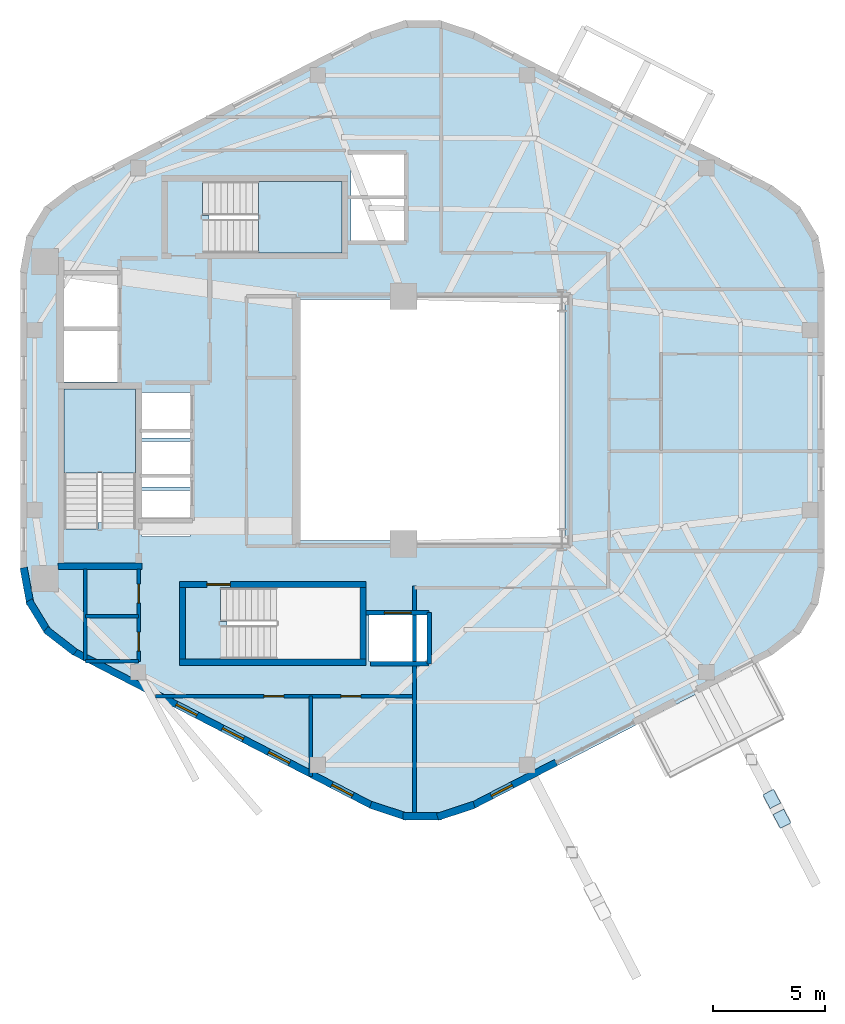
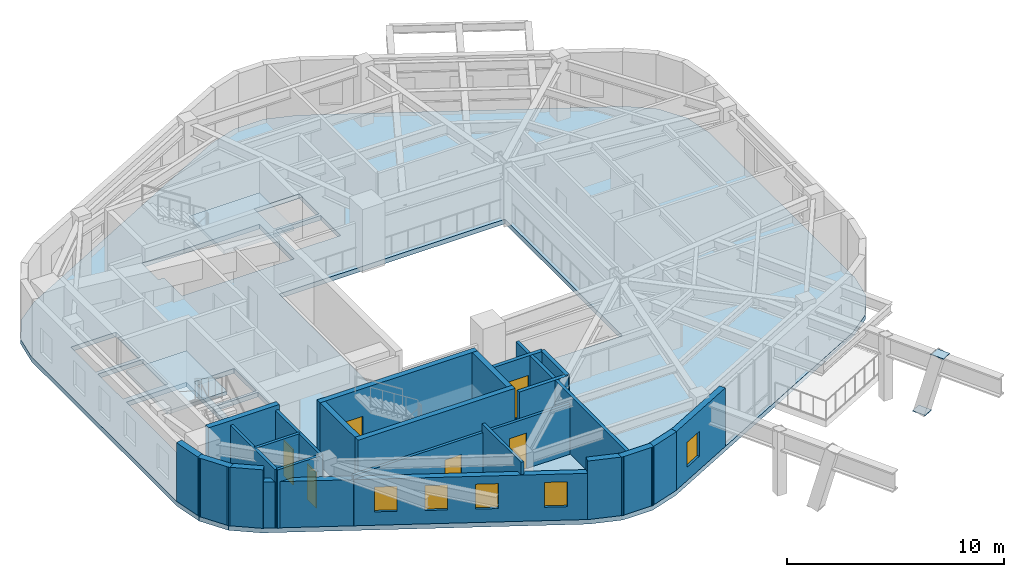
# One storey, part 6 of 10: 23 walls, 6 doors, 5 windows, 3 slabs, 2 plates, 11 openings, 2 elements without a shape of their own.
"""IFC4 building model written with IfcOpenShell, lengths in metres."""

import ifcopenshell
import ifcopenshell.guid

model = None  # the IFC model being written
_history = None  # IfcOwnerHistory: only IFC2X3 demands one
_inside = {}  # id of a spatial element -> (the spatial element, [elements in it])
_under = {}  # id of a project, library or spatial element -> (it, [spatial elements below it])
_declared = {}  # id of a project -> (the project, [libraries it declares])
_typed = {}  # id of a type object -> (the type object, [elements of that type])
_made_of = {}  # id of a material, layer set ... -> (it, [elements and type objects made of it])


def new_model(schema):
    """Start an empty IFC model of exactly this schema.

    Asked for "IFC4X3", IfcOpenShell would pick the latest addendum, in which some entities
    have other attributes; the version numbers below select the first issue.
    IFC2X3 requires an IfcOwnerHistory on every rooted entity: one is made here for all.
    """
    global model, _history
    if schema == "IFC4X3":
        model = ifcopenshell.file(schema_version=(4, 3, 0, 0))
    else:
        model = ifcopenshell.file(schema=schema)
    _inside.clear()
    _under.clear()
    _declared.clear()
    _typed.clear()
    _made_of.clear()
    _history = None
    if model.schema == "IFC2X3":
        org = make("IfcOrganization", Name="unknown")
        user = make(
            "IfcPersonAndOrganization",
            ThePerson=make("IfcPerson", FamilyName="unknown"),
            TheOrganization=org,
        )
        app = make(
            "IfcApplication",
            ApplicationDeveloper=org,
            Version="unknown",
            ApplicationFullName="unknown",
            ApplicationIdentifier="unknown",
        )
        _history = make(
            "IfcOwnerHistory",
            OwningUser=user,
            OwningApplication=app,
            ChangeAction="ADDED",
            CreationDate=0,
        )
    return model


def make(cls, **values):
    """One entity of the class cls with the attributes given. An attribute that is None is left unset."""
    return model.create_entity(
        cls, **{name: value for name, value in values.items() if value is not None}
    )


def rooted(cls, **values):
    """An entity with a GlobalId (a new one), such as an element, a storey or a relation."""
    return make(cls, GlobalId=ifcopenshell.guid.new(), OwnerHistory=_history, **values)


def si_unit(unit_type, name, prefix=None):
    """IfcSIUnit, for example si_unit("LENGTHUNIT", "METRE", prefix="MILLI")."""
    return make("IfcSIUnit", UnitType=unit_type, Prefix=prefix, Name=name)


def assignment(units):
    """IfcUnitAssignment: the units of a project."""
    return None if units is None else make("IfcUnitAssignment", Units=units)


def point(xyz):
    """IfcCartesianPoint."""
    return None if xyz is None else make("IfcCartesianPoint", Coordinates=xyz)


def direction(xyz):
    """IfcDirection."""
    return None if xyz is None else make("IfcDirection", DirectionRatios=xyz)


def frame(location, z_axis=None, x_axis=None):
    """IfcAxis2Placement3D, a coordinate frame: its origin and axes. An axis left out is left unset."""
    return make(
        "IfcAxis2Placement3D",
        Location=point(location),
        Axis=direction(z_axis),
        RefDirection=direction(x_axis),
    )


def frame_2d(location, x_axis=None):
    """IfcAxis2Placement2D, a coordinate frame in the plane: its origin and x axis."""
    return make(
        "IfcAxis2Placement2D", Location=point(location), RefDirection=direction(x_axis)
    )


def origin():
    """The frame at (0, 0, 0) with its axes left unset."""
    return frame((0.0, 0.0, 0.0))


def origin_2d():
    """The frame at (0, 0) in the plane with its x axis left unset."""
    return frame_2d((0.0, 0.0))


def place(relative_to, where):
    """IfcLocalPlacement: puts the frame where relative to a parent placement (None: the world)."""
    return make(
        "IfcLocalPlacement", PlacementRelTo=relative_to, RelativePlacement=where
    )


def context(
    kind, dimensions, precision=None, world=None, true_north=None, identifier=None
):
    """IfcGeometricRepresentationContext, for example the 3D "Model" context."""
    return make(
        "IfcGeometricRepresentationContext",
        ContextIdentifier=identifier,
        ContextType=kind,
        CoordinateSpaceDimension=dimensions,
        Precision=precision,
        WorldCoordinateSystem=world,
        TrueNorth=true_north,
    )


def subcontext(parent, identifier, kind, view, scale=None):
    """IfcGeometricRepresentationSubContext, for example "Body" below "Model"."""
    return make(
        "IfcGeometricRepresentationSubContext",
        ContextIdentifier=identifier,
        ContextType=kind,
        ParentContext=parent,
        TargetScale=scale,
        TargetView=view,
    )


def project(units=None, contexts=None):
    """IfcProject with its units and contexts."""
    return rooted(
        "IfcProject",
        Name="project",
        RepresentationContexts=contexts,
        UnitsInContext=assignment(units),
    )


def spatial(cls, under=None, at=None, **own):
    """A site, building, storey or space (cls), placed at a placement, below another one or the project."""
    s = rooted(cls, ObjectPlacement=at, **own)
    if under is not None:
        _under.setdefault(under.id(), (under, []))[1].append(s)
    return s


def polyline(points):
    """IfcPolyline through the points."""
    return make("IfcPolyline", Points=[point(p) for p in points])


def profile(cls, at=None, kind="AREA", **sizes):
    """A parametric profile (cls). Its sizes go by their IFC names, for example OverallWidth=200.0."""
    return make(cls, ProfileType=kind, Position=at, **sizes)


def rectangle(**sizes):
    """IfcRectangleProfileDef."""
    return profile("IfcRectangleProfileDef", **sizes)


def outline(outer, holes=None, kind="AREA"):
    """IfcArbitraryClosedProfileDef: a profile drawn as a closed curve; with holes, ...WithVoids."""
    if holes is None:
        return make("IfcArbitraryClosedProfileDef", ProfileType=kind, OuterCurve=outer)
    return make(
        "IfcArbitraryProfileDefWithVoids",
        ProfileType=kind,
        OuterCurve=outer,
        InnerCurves=holes,
    )


def extrude(swept, where, along, depth):
    """IfcExtrudedAreaSolid: the profile swept, set in the frame where, extruded along a direction by depth."""
    return make(
        "IfcExtrudedAreaSolid",
        SweptArea=swept,
        Position=where,
        ExtrudedDirection=direction(along),
        Depth=depth,
    )


def shape(context_of_items, identifier, shape_type, items):
    """IfcShapeRepresentation: the items that make up one representation, for example the "Body"."""
    return make(
        "IfcShapeRepresentation",
        ContextOfItems=context_of_items,
        RepresentationIdentifier=identifier,
        RepresentationType=shape_type,
        Items=items,
    )


def material(Name=None, Category=None):
    """IfcMaterial."""
    return make("IfcMaterial", Name=Name, Category=Category)


def layer(
    of_material, thickness, ventilated=None, Name=None, Category=None, Priority=None
):
    """IfcMaterialLayer: one layer of a wall or slab, of a material (None: an air gap)."""
    return make(
        "IfcMaterialLayer",
        Material=of_material,
        LayerThickness=thickness,
        IsVentilated=ventilated,
        Name=Name,
        Category=Category,
        Priority=Priority,
    )


def layer_set(layers, Name=None):
    """IfcMaterialLayerSet."""
    return make("IfcMaterialLayerSet", MaterialLayers=layers, LayerSetName=Name)


def made_of(thing, what):
    """Note that an element or type object is made of a material, layer set ...; save() writes the relation."""
    if what is not None:
        _made_of.setdefault(what.id(), (what, []))[1].append(thing)
    return thing


def type_object(cls, material=None, **own):
    """A type object (cls), such as IfcWallType, which elements share."""
    return made_of(rooted(cls, **own), material)


def element(
    cls,
    number,
    at=None,
    inside=None,
    cuts=None,
    type_object=None,
    material=None,
    context=None,
    identifier="Body",
    shape_type=None,
    held_by="IfcProductDefinitionShape",
    body=None,
    shapes=None,
    **own,
):
    """One element of the class cls, such as IfcWall. Its Tag is "e" and its number.

    at: its placement. inside: the storey or other place that contains it. cuts: it is an
    opening in that element (IfcRelVoidsElement). A single representation is given by context,
    identifier, shape_type and body (its items); several are given by shapes. held_by: the class
    of the entity that holds the representations. save() writes the other relations.
    """
    e = rooted(cls, Tag="e%d" % number, ObjectPlacement=at, **own)
    if body is not None:
        shapes = [shape(context, identifier, shape_type, body)]
    if shapes is not None:
        e.Representation = make(held_by, Representations=shapes)
    if inside is not None:
        _inside.setdefault(inside.id(), (inside, []))[1].append(e)
    if cuts is not None:
        rooted(
            "IfcRelVoidsElement", RelatingBuildingElement=cuts, RelatedOpeningElement=e
        )
    if type_object is not None:
        _typed.setdefault(type_object.id(), (type_object, []))[1].append(e)
    return made_of(e, material)


def fill(opening, filler):
    """IfcRelFillsElement: the door or window that sits in an opening."""
    return rooted(
        "IfcRelFillsElement",
        RelatingOpeningElement=opening,
        RelatedBuildingElement=filler,
    )


def aggregate(whole, parts):
    """IfcRelAggregates: a whole, such as a stair, and the parts it consists of."""
    return rooted("IfcRelAggregates", RelatingObject=whole, RelatedObjects=parts)


def save(model, path):
    """Write the relations noted so far, then the file.

    IfcRelAggregates (storeys below a building ...), IfcRelContainedInSpatialStructure (elements
    in a storey), IfcRelDefinesByType, IfcRelAssociatesMaterial and IfcRelDeclares: one each for
    every whole, place, type object, material and project.
    """
    for whole, parts in _under.values():
        aggregate(whole, parts)
    for where, things in _inside.values():
        rooted(
            "IfcRelContainedInSpatialStructure",
            RelatedElements=things,
            RelatingStructure=where,
        )
    for kind, things in _typed.values():
        rooted("IfcRelDefinesByType", RelatedObjects=things, RelatingType=kind)
    for what, things in _made_of.values():
        rooted("IfcRelAssociatesMaterial", RelatedObjects=things, RelatingMaterial=what)
    for by, libraries in _declared.values():
        rooted("IfcRelDeclares", RelatingContext=by, RelatedDefinitions=libraries)
    model.write(path)


model = new_model("IFC4")

# Units and contexts
model_context = context("Model", 3, precision=1e-05, world=origin(), true_north=direction((0.0, 1.0)))
body_context = subcontext(model_context, "Body", "Model", "MODEL_VIEW")
ifc_project = project(units=[si_unit("LENGTHUNIT", "METRE"), si_unit("AREAUNIT", "SQUARE_METRE"), si_unit("VOLUMEUNIT", "CUBIC_METRE"), si_unit("PLANEANGLEUNIT", "RADIAN"), si_unit("MASSUNIT", "GRAM", prefix="KILO"), si_unit("THERMODYNAMICTEMPERATUREUNIT", "KELVIN"), si_unit("POWERUNIT", "WATT")], contexts=[model_context])

# Site, building, storey
site_placement = place(None, origin())
site = spatial("IfcSite", under=ifc_project, at=site_placement, CompositionType="ELEMENT")
building_placement = place(site_placement, origin())
building = spatial("IfcBuilding", under=site, at=building_placement, Name="Skarre Station Tower", CompositionType="ELEMENT")
storey_placement = place(building_placement, frame((0.0, 0.0, 224.14990234375)))
storey = spatial("IfcBuildingStorey", under=building, at=storey_placement, Name="L61", CompositionType="ELEMENT", Elevation=224.14990234375)

# Plates
ifc_material_1 = material(Name="Steel ASTM A572 Grade 50", Category="steel")
ifc_layer_1 = layer(ifc_material_1, 0.031982421875, Name="Steel ASTM A572 Grade 50")
ifc_layer_set_1 = layer_set([ifc_layer_1], Name="Steel ASTM A572 Grade 50")
plate_type = type_object("IfcPlateType", Name="Exoskeleton Strut Cap Plate 700x540x32", PredefinedType="USERDEFINED", material=ifc_layer_set_1)
for number, where, z_axis, x_axis, name in (
    (1, (48.85400390625, 7.032958984375, -0.44580078125), (0.0, 0.0, 1.0), (0.458711590553, -0.88858521071, 0.0), "L61 SB-5 Exoskeleton Tier-2 Base Gusset S2"),
    (2, (49.31201171875, 6.14404296875, 3.10400390625), (0.0, 0.0, 1.0), (0.458711590553, -0.88858521071, 0.0), "L61 SB-5 Exoskeleton Tier-2 Head Gusset S2"),
):
    element("IfcPlate", number, at=place(storey_placement, frame(where, z_axis=z_axis, x_axis=x_axis)), inside=storey, type_object=plate_type, Name=name, ObjectType="STIFFENER_PLATE", PredefinedType="USERDEFINED", context=body_context, shape_type="SweptSolid", body=[
        extrude(rectangle(XDim=0.699951171875, YDim=0.5400390625, at=origin_2d()), origin(), (0.0, 0.0, 1.0), 0.031982421875),
    ])

# Stair, slab
ifc_material_2 = material(Name="Concrete C40/50", Category="concrete")
stair_type_1 = type_object("IfcStairType", Name="Reinforced Concrete Exit Stair ST-1", PredefinedType="HALF_TURN_STAIR", material=ifc_material_2)
stair_1_placement = place(storey_placement, origin())
stair_1 = element("IfcStair", 3, at=stair_1_placement, inside=storey, type_object=stair_type_1, Name="L61 Core Exit Stair ST-1", PredefinedType="HALF_TURN_STAIR")
ifc_layer_2 = layer(ifc_material_2, 0.219970703125, Name="Concrete C40/50")
ifc_layer_set_2 = layer_set([ifc_layer_2], Name="Concrete C40/50")
slab_type_1 = type_object("IfcSlabType", Name="Reinforced Concrete Stair & Ramp Landing 220", PredefinedType="LANDING", material=ifc_layer_set_2)
slab_1_placement = place(storey_placement, frame((0.0, 0.0, 1.5751953125)))
slab_1 = element("IfcSlab", 4, at=slab_1_placement, type_object=slab_type_1, Name="ST-1 landing 1", PredefinedType="LANDING", context=body_context, shape_type="SweptSolid", body=[
    extrude(outline(polyline([(20.35009765625, 21.639892578125), (20.35009765625, 25.39990234375), (17.14990234375, 25.39990234375), (17.14990234375, 21.639892578125), (20.35009765625, 21.639892578125)])), origin(), (0.0, 0.0, 1.0), 0.199951171875),
])
aggregate(stair_1, [slab_1])

stair_type_2 = type_object("IfcStairType", Name="Reinforced Concrete Exit Stair ST-3", PredefinedType="HALF_TURN_STAIR", material=ifc_material_2)
stair_2_placement = place(storey_placement, origin())
stair_2 = element("IfcStair", 5, at=stair_2_placement, inside=storey, type_object=stair_type_2, Name="L61 Core Exit Stair ST-3", PredefinedType="HALF_TURN_STAIR")
slab_2_placement = place(storey_placement, frame((0.0, 0.0, 1.5751953125)))
slab_2 = element("IfcSlab", 6, at=slab_2_placement, type_object=slab_type_1, Name="ST-3 landing 1", PredefinedType="LANDING", context=body_context, shape_type="SweptSolid", body=[
    extrude(outline(polyline([(25.8701171875, 31.5), (29.60009765625, 31.5), (29.60009765625, 34.699951171875), (25.8701171875, 34.699951171875), (25.8701171875, 31.5)])), origin(), (0.0, 0.0, 1.0), 0.199951171875),
])
aggregate(stair_2, [slab_2])

# Slab
ifc_material_3 = material(Name="Concrete C50/60", Category="concrete")
ifc_layer_3 = layer(ifc_material_3, 0.260009765625, Name="Concrete C50/60")
ifc_layer_set_3 = layer_set([ifc_layer_3], Name="Concrete C50/60")
slab_type_2 = type_object("IfcSlabType", Name="Tower Typical Composite Floor Slab 260", PredefinedType="FLOOR", material=ifc_layer_set_3)
slab_3_placement = place(storey_placement, frame((0.0, 0.0, -0.260009765625)))
element("IfcSlab", 7, at=slab_3_placement, inside=storey, type_object=slab_type_2, Name="L61 Zone 4 Structural Floor Slab", PredefinedType="FLOOR", context=body_context, shape_type="SweptSolid", body=[
    extrude(outline(polyline([(51.212890625, 30.701904296875), (50.93310546875, 32.222900390625), (50.1279296875, 33.544921875), (48.905029296875, 34.491943359375), (35.508056640625, 41.407958984375), (33.99609375, 41.906005859375), (32.404052734375, 41.906005859375), (30.89208984375, 41.407958984375), (17.4951171875, 34.491943359375), (16.27197265625, 33.544921875), (15.467041015625, 32.222900390625), (15.18701171875, 30.701904296875), (15.18701171875, 17.298095703125), (15.467041015625, 15.777099609375), (16.27197265625, 14.455078125), (17.4951171875, 13.508056640625), (30.89208984375, 6.592041015625), (32.404052734375, 6.093994140625), (33.99609375, 6.093994140625), (35.508056640625, 6.592041015625), (48.905029296875, 13.508056640625), (50.1279296875, 14.455078125), (50.93310546875, 15.777099609375), (51.212890625, 17.298095703125), (51.212890625, 30.701904296875)]), holes=[polyline([(18.669921875, 19.419921875), (18.669921875, 19.123046875), (17.14990234375, 19.123046875), (17.14990234375, 25.39990234375), (20.35009765625, 25.39990234375), (20.35009765625, 19.419921875), (18.669921875, 19.419921875)]), polyline([(24.449951171875, 14.97998046875), (24.153076171875, 14.97998046875), (24.153076171875, 16.5), (30.39990234375, 16.5), (30.39990234375, 13.300048828125), (24.449951171875, 13.300048828125), (24.449951171875, 14.97998046875)]), polyline([(23.64990234375, 33.179931640625), (23.35302734375, 33.179931640625), (23.35302734375, 34.699951171875), (29.60009765625, 34.699951171875), (29.60009765625, 31.5), (23.64990234375, 31.5), (23.64990234375, 33.179931640625)]), polyline([(17.14990234375, 28.0), (19.550048828125, 28.0), (19.550048828125, 25.699951171875), (17.14990234375, 25.699951171875), (17.14990234375, 28.0)]), polyline([(17.14990234375, 30.5), (19.550048828125, 30.5), (19.550048828125, 28.199951171875), (17.14990234375, 28.199951171875), (17.14990234375, 30.5)]), polyline([(30.800048828125, 15.300048828125), (33.39990234375, 15.300048828125), (33.39990234375, 13.199951171875), (30.800048828125, 13.199951171875), (30.800048828125, 15.300048828125)]), polyline([(20.64990234375, 20.85009765625), (22.800048828125, 20.85009765625), (22.800048828125, 18.800048828125), (20.64990234375, 18.800048828125), (20.64990234375, 20.85009765625)]), polyline([(20.64990234375, 23.050048828125), (22.800048828125, 23.050048828125), (22.800048828125, 21.0), (20.64990234375, 21.0), (20.64990234375, 23.050048828125)]), polyline([(20.64990234375, 25.25), (22.800048828125, 25.25), (22.800048828125, 23.199951171875), (20.64990234375, 23.199951171875), (20.64990234375, 25.25)]), polyline([(30.0, 33.89990234375), (32.39990234375, 33.89990234375), (32.39990234375, 32.050048828125), (30.0, 32.050048828125), (30.0, 33.89990234375)]), polyline([(30.0, 35.89990234375), (32.39990234375, 35.89990234375), (32.39990234375, 34.050048828125), (30.0, 34.050048828125), (30.0, 35.89990234375)]), polyline([(27.60009765625, 29.39990234375), (39.60009765625, 29.39990234375), (39.60009765625, 18.60009765625), (27.60009765625, 18.60009765625), (27.60009765625, 29.39990234375)])]), origin(), (0.0, 0.0, 1.0), 0.260009765625),
])

# Walls
ifc_material_4 = material(Name="Acoustic Steel-Stud Gypsum Partition", Category="steel")
ifc_layer_4 = layer(ifc_material_4, 0.14990234375, Name="Acoustic Steel-Stud Gypsum Partition")
ifc_layer_set_4 = layer_set([ifc_layer_4], Name="Acoustic Steel-Stud Gypsum Partition")
wall_type_1 = type_object("IfcWallType", Name="Fire-Rated Corridor Acoustic Partition 150", PredefinedType="PARTITIONING", material=ifc_layer_set_4)
wall_1_placement = place(storey_placement, frame((18.10009765625, 17.340087890625, 0.0), z_axis=(0.0, 0.0, 1.0), x_axis=(0.0, -1.0, 0.0)))
element("IfcWall", 8, at=wall_1_placement, inside=storey, type_object=wall_type_1, Name="L61 Interior Partition WL-PT-L61-CSVC-W", PredefinedType="PARTITIONING", context=body_context, shape_type="SweptSolid", body=[
    extrude(rectangle(XDim=4.133056640625, YDim=0.14990234375, at=frame_2d((2.06640625, 0.0))), origin(), (0.0, 0.0, 1.0), 3.2900390625),
])
wall_2_placement = place(storey_placement, frame((18.113037109375, 13.199951171875, 0.0), z_axis=(0.0, 0.0, 1.0), x_axis=(1.0, 0.0, 0.0)))
element("IfcWall", 9, at=wall_2_placement, inside=storey, type_object=wall_type_1, Name="L61 Interior Partition WL-PT-L61-CSVC-S", PredefinedType="PARTITIONING", context=body_context, shape_type="SweptSolid", body=[
    extrude(rectangle(XDim=2.376953125, YDim=0.14990234375, at=frame_2d((1.1884765625, 0.0))), origin(), (0.0, 0.0, 1.0), 3.2900390625),
])
wall_3_placement = place(storey_placement, frame((18.10009765625, 15.219970703125, 0.0), z_axis=(0.0, 0.0, 1.0), x_axis=(1.0, 0.0, 0.0)))
element("IfcWall", 10, at=wall_3_placement, inside=storey, type_object=wall_type_1, Name="L61 Interior Partition WL-PT-L61-CSVC-M", PredefinedType="PARTITIONING", context=body_context, shape_type="SweptSolid", body=[
    extrude(rectangle(XDim=2.389892578125, YDim=0.14990234375, at=frame_2d((1.19482421875, 0.0))), origin(), (0.0, 0.0, 1.0), 3.2900390625),
])

# Wall, openings, doors
wall_4_placement = place(storey_placement, frame((20.489990234375, 13.199951171875, 0.0), z_axis=(0.0, 0.0, 1.0), x_axis=(0.0, 1.0, 0.0)))
wall_4 = element("IfcWall", 11, at=wall_4_placement, inside=storey, type_object=wall_type_1, Name="L61 Interior Partition WL-PT-L61-CSVC-E", PredefinedType="PARTITIONING", context=body_context, shape_type="SweptSolid", body=[
    extrude(rectangle(XDim=4.14013671875, YDim=0.14990234375, at=frame_2d((2.070068359375, 0.0))), origin(), (0.0, 0.0, 1.0), 3.2900390625),
])
opening_1_placement = place(wall_4_placement, frame((0.449951171875, 0.0, 0.0)))
opening_1 = element("IfcOpeningElement", 12, at=opening_1_placement, cuts=wall_4, Name="Opening DR-SVC86", PredefinedType="OPENING", context=body_context, shape_type="SweptSolid", body=[
    extrude(rectangle(XDim=0.860107421875, YDim=2.0, at=frame_2d((0.43017578125, 1.0))), frame((0.0, 0.0849609375, 0.0), z_axis=(0.0, -1.0, 0.0), x_axis=(1.0, 0.0, 0.0)), (0.0, 0.0, 1.0), 0.169921875),
])
opening_2_placement = place(wall_4_placement, frame((2.60009765625, 0.0, 0.0)))
opening_2 = element("IfcOpeningElement", 13, at=opening_2_placement, cuts=wall_4, Name="Opening DR-SVC86", PredefinedType="OPENING", context=body_context, shape_type="SweptSolid", body=[
    extrude(rectangle(XDim=0.860107421875, YDim=2.0, at=frame_2d((0.43017578125, 1.0))), frame((0.0, 0.0849609375, 0.0), z_axis=(0.0, -1.0, 0.0), x_axis=(1.0, 0.0, 0.0)), (0.0, 0.0, 1.0), 0.169921875),
])
ifc_material_5 = material(Name="Powder-Coated Hollow-Metal Acoustic Fire Leaf", Category="steel")
door_type_1 = type_object("IfcDoorType", Name="Compact Riser Fire Door FD60 860x2100", OperationType="SINGLE_SWING_LEFT", PredefinedType="DOOR", material=ifc_material_5)
door_1_placement = place(opening_1_placement, origin())
door_1 = element("IfcDoor", 14, at=door_1_placement, inside=storey, type_object=door_type_1, Name="L61 Vending Room Door", OperationType="SINGLE_SWING_LEFT", OverallHeight=2.0, OverallWidth=0.860107421875, PredefinedType="DOOR", context=body_context, shape_type="SweptSolid", body=[
    extrude(rectangle(XDim=0.860107421875, YDim=2.0, at=frame_2d((0.43017578125, 1.0))), frame((0.0, 0.02490234375, 0.0), z_axis=(0.0, -1.0, 0.0), x_axis=(1.0, 0.0, 0.0)), (0.0, 0.0, 1.0), 0.050048828125),
])
fill(opening_1, door_1)
door_2_placement = place(opening_2_placement, origin())
door_2 = element("IfcDoor", 15, at=door_2_placement, inside=storey, type_object=door_type_1, Name="L61 Linen Storage Door", OperationType="SINGLE_SWING_LEFT", OverallHeight=2.0, OverallWidth=0.860107421875, PredefinedType="DOOR", context=body_context, shape_type="SweptSolid", body=[
    extrude(rectangle(XDim=0.860107421875, YDim=2.0, at=frame_2d((0.43017578125, 1.0))), frame((0.0, 0.02490234375, 0.0), z_axis=(0.0, -1.0, 0.0), x_axis=(1.0, 0.0, 0.0)), (0.0, 0.0, 1.0), 0.050048828125),
])
fill(opening_2, door_2)

# Wall
wall_5_placement = place(storey_placement, frame((28.199951171875, 8.049072265625, 0.0), z_axis=(0.0, 0.0, 1.0), x_axis=(0.0, 1.0, 0.0)))
element("IfcWall", 16, at=wall_5_placement, inside=storey, type_object=wall_type_1, Name="L61 Interior Partition WL-PT-L61-SWP-M", PredefinedType="PARTITIONING", context=body_context, shape_type="SweptSolid", body=[
    extrude(rectangle(XDim=3.5908203125, YDim=0.14990234375, at=frame_2d((1.79541015625, 0.0))), origin(), (0.0, 0.0, 1.0), 3.2900390625),
])

# Wall, openings, doors
wall_6_placement = place(storey_placement, frame((21.243896484375, 11.639892578125, 0.0), z_axis=(0.0, 0.0, 1.0), x_axis=(1.0, 0.0, 0.0)))
wall_6 = element("IfcWall", 17, at=wall_6_placement, inside=storey, type_object=wall_type_1, Name="L61 Interior Partition WL-PT-L61-SWP-N", PredefinedType="PARTITIONING", context=body_context, shape_type="SweptSolid", body=[
    extrude(rectangle(XDim=11.606201171875, YDim=0.14990234375, at=frame_2d((5.80322265625, 0.0))), origin(), (0.0, 0.0, 1.0), 2.8330078125),
])
opening_3_placement = place(wall_6_placement, frame((4.85595703125, 0.0, 0.0)))
opening_3 = element("IfcOpeningElement", 18, at=opening_3_placement, cuts=wall_6, Name="Opening DR-SVC90", PredefinedType="OPENING", context=body_context, shape_type="SweptSolid", body=[
    extrude(rectangle(XDim=0.89990234375, YDim=2.0, at=frame_2d((0.449951171875, 1.0))), frame((0.0, 0.0849609375, 0.0), z_axis=(0.0, -1.0, 0.0), x_axis=(1.0, 0.0, 0.0)), (0.0, 0.0, 1.0), 0.169921875),
])
opening_4_placement = place(wall_6_placement, frame((8.305908203125, 0.0, 0.0)))
opening_4 = element("IfcOpeningElement", 19, at=opening_4_placement, cuts=wall_6, Name="Opening DR-SVC90", PredefinedType="OPENING", context=body_context, shape_type="SweptSolid", body=[
    extrude(rectangle(XDim=0.89990234375, YDim=2.0, at=frame_2d((0.449951171875, 1.0))), frame((0.0, 0.0849609375, 0.0), z_axis=(0.0, -1.0, 0.0), x_axis=(1.0, 0.0, 0.0)), (0.0, 0.0, 1.0), 0.169921875),
])
door_type_2 = type_object("IfcDoorType", Name="Service & Riser Fire Door FD60 900x2100", OperationType="SINGLE_SWING_LEFT", PredefinedType="DOOR", material=ifc_material_5)
door_3_placement = place(opening_3_placement, origin())
door_3 = element("IfcDoor", 20, at=door_3_placement, inside=storey, type_object=door_type_2, Name="L61 Floor Public Toilets Door", OperationType="SINGLE_SWING_LEFT", OverallHeight=2.0, OverallWidth=0.89990234375, PredefinedType="DOOR", context=body_context, shape_type="SweptSolid", body=[
    extrude(rectangle(XDim=0.89990234375, YDim=2.0, at=frame_2d((0.449951171875, 1.0))), frame((0.0, 0.02490234375, 0.0), z_axis=(0.0, -1.0, 0.0), x_axis=(1.0, 0.0, 0.0)), (0.0, 0.0, 1.0), 0.050048828125),
])
fill(opening_3, door_3)
door_4_placement = place(opening_4_placement, origin())
door_4 = element("IfcDoor", 21, at=door_4_placement, inside=storey, type_object=door_type_2, Name="L61 South-West Study Door", OperationType="SINGLE_SWING_LEFT", OverallHeight=2.0, OverallWidth=0.89990234375, PredefinedType="DOOR", context=body_context, shape_type="SweptSolid", body=[
    extrude(rectangle(XDim=0.89990234375, YDim=2.0, at=frame_2d((0.449951171875, 1.0))), frame((0.0, 0.02490234375, 0.0), z_axis=(0.0, -1.0, 0.0), x_axis=(1.0, 0.0, 0.0)), (0.0, 0.0, 1.0), 0.050048828125),
])
fill(opening_4, door_4)

# Walls
ifc_material_6 = material(Name="Precast concrete C45/55", Category="concrete")
ifc_layer_5 = layer(ifc_material_6, 0.330078125, Name="Precast concrete C45/55")
ifc_layer_set_5 = layer_set([ifc_layer_5], Name="Precast concrete C45/55")
wall_type_2 = type_object("IfcWallType", Name="Nordic Rounded Corner Precast Wall 330", PredefinedType="STANDARD", material=ifc_layer_set_5)
wall_7_placement = place(storey_placement, frame((17.64697265625, 13.59912109375, 0.0), z_axis=(0.0, 0.0, 1.0), x_axis=(-0.790691856293, 0.61221433207, 0.0)))
element("IfcWall", 22, at=wall_7_placement, inside=storey, type_object=wall_type_2, Name="L61 Rounded Corner Precast Wall F3-1", PredefinedType="STANDARD", context=body_context, shape_type="SweptSolid", body=[
    extrude(rectangle(XDim=1.67578125, YDim=0.330078125, at=frame_2d((0.837890625, 0.0))), origin(), (0.0, 0.0, 1.0), 3.2900390625),
])
wall_8_placement = place(storey_placement, frame((16.447021484375, 14.485107421875, 0.0), z_axis=(0.0, 0.0, 1.0), x_axis=(-0.520325409202, 0.853968072318, 0.0)))
element("IfcWall", 23, at=wall_8_placement, inside=storey, type_object=wall_type_2, Name="L61 Rounded Corner Precast Wall F3-2", PredefinedType="STANDARD", context=body_context, shape_type="SweptSolid", body=[
    extrude(rectangle(XDim=1.677978515625, YDim=0.330078125, at=frame_2d((0.8388671875, 0.0))), origin(), (0.0, 0.0, 1.0), 3.2900390625),
])
wall_9_placement = place(storey_placement, frame((15.64111328125, 15.742919921875, 0.0), z_axis=(0.0, 0.0, 1.0), x_axis=(-0.180832605401, 0.983513888475, 0.0)))
element("IfcWall", 24, at=wall_9_placement, inside=storey, type_object=wall_type_2, Name="L61 Rounded Corner Precast Wall F3-3", PredefinedType="STANDARD", context=body_context, shape_type="SweptSolid", body=[
    extrude(rectangle(XDim=1.6767578125, YDim=0.330078125, at=frame_2d((0.83837890625, 0.0))), origin(), (0.0, 0.0, 1.0), 3.2900390625),
])
wall_10_placement = place(storey_placement, frame((35.51806640625, 6.76904296875, 0.0), z_axis=(0.0, 0.0, 1.0), x_axis=(-0.949713440491, -0.313120393699, 0.0)))
element("IfcWall", 25, at=wall_10_placement, inside=storey, type_object=wall_type_2, Name="L61 Rounded Corner Precast Wall F4-1", PredefinedType="STANDARD", context=body_context, shape_type="SweptSolid", body=[
    extrude(rectangle(XDim=1.7216796875, YDim=0.330078125, at=frame_2d((0.86083984375, 0.0))), origin(), (0.0, 0.0, 1.0), 3.2900390625),
])
wall_11_placement = place(storey_placement, frame((34.06103515625, 6.259033203125, 0.0), z_axis=(0.0, 0.0, 1.0), x_axis=(-1.0, 0.0, 0.0)))
element("IfcWall", 26, at=wall_11_placement, inside=storey, type_object=wall_type_2, Name="L61 Rounded Corner Precast Wall F4-2", PredefinedType="STANDARD", context=body_context, shape_type="SweptSolid", body=[
    extrude(rectangle(XDim=1.721923828125, YDim=0.330078125, at=frame_2d((0.86083984375, 0.0))), origin(), (0.0, 0.0, 1.0), 3.2900390625),
])
wall_12_placement = place(storey_placement, frame((32.51708984375, 6.22998046875, 0.0), z_axis=(0.0, 0.0, 1.0), x_axis=(-0.949713440491, 0.313120393699, 0.0)))
element("IfcWall", 27, at=wall_12_placement, inside=storey, type_object=wall_type_2, Name="L61 Rounded Corner Precast Wall F4-3", PredefinedType="STANDARD", context=body_context, shape_type="SweptSolid", body=[
    extrude(rectangle(XDim=1.7216796875, YDim=0.330078125, at=frame_2d((0.86083984375, 0.0))), origin(), (0.0, 0.0, 1.0), 3.2900390625),
])

# Wall, openings, windows
ifc_layer_6 = layer(ifc_material_6, 0.31005859375, Name="Precast concrete C45/55")
ifc_layer_set_6 = layer_set([ifc_layer_6], Name="Precast concrete C45/55")
wall_type_3 = type_object("IfcWallType", Name="Nordic Upper-Zone Precast Facet Wall 310", PredefinedType="STANDARD", material=ifc_layer_set_6)
wall_13_placement = place(storey_placement, frame((30.962890625, 6.72998046875, 0.0), z_axis=(0.0, 0.0, 1.0), x_axis=(-0.888581481622, 0.458718814218, 0.0)))
wall_13 = element("IfcWall", 28, at=wall_13_placement, inside=storey, type_object=wall_type_3, Name="L61 Facet 3 Nordic Precast Masonry Wall", PredefinedType="STANDARD", context=body_context, shape_type="SweptSolid", body=[
    extrude(rectangle(XDim=15.076904296875, YDim=0.31005859375, at=frame_2d((7.53857421875, 0.0))), origin(), (0.0, 0.0, 1.0), 2.593994140625),
])
opening_5_placement = place(wall_13_placement, frame((0.998046875, 0.0, 0.75)))
opening_5 = element("IfcOpeningElement", 29, at=opening_5_placement, cuts=wall_13, Name="Opening WN-SLT", PredefinedType="OPENING", context=body_context, shape_type="SweptSolid", body=[
    extrude(rectangle(XDim=1.050048828125, YDim=1.39990234375, at=frame_2d((0.52490234375, 0.699951171875))), frame((0.0, 0.1650390625, 0.0), z_axis=(0.0, -1.0, 0.0), x_axis=(1.0, 0.0, 0.0)), (0.0, 0.0, 1.0), 0.330078125),
])
opening_6_placement = place(wall_13_placement, frame((4.176025390625, 0.0, 0.75)))
opening_6 = element("IfcOpeningElement", 30, at=opening_6_placement, cuts=wall_13, Name="Opening WN-SLT", PredefinedType="OPENING", context=body_context, shape_type="SweptSolid", body=[
    extrude(rectangle(XDim=1.050048828125, YDim=1.39990234375, at=frame_2d((0.52490234375, 0.699951171875))), frame((0.0, 0.1650390625, 0.0), z_axis=(0.0, -1.0, 0.0), x_axis=(1.0, 0.0, 0.0)), (0.0, 0.0, 1.0), 0.330078125),
])
opening_7_placement = place(wall_13_placement, frame((6.509033203125, 0.0, 0.75)))
opening_7 = element("IfcOpeningElement", 31, at=opening_7_placement, cuts=wall_13, Name="Opening WN-SLT", PredefinedType="OPENING", context=body_context, shape_type="SweptSolid", body=[
    extrude(rectangle(XDim=1.050048828125, YDim=1.39990234375, at=frame_2d((0.52490234375, 0.699951171875))), frame((0.0, 0.1650390625, 0.0), z_axis=(0.0, -1.0, 0.0), x_axis=(1.0, 0.0, 0.0)), (0.0, 0.0, 1.0), 0.330078125),
])
opening_8_placement = place(wall_13_placement, frame((8.842041015625, 0.0, 0.75)))
opening_8 = element("IfcOpeningElement", 32, at=opening_8_placement, cuts=wall_13, Name="Opening WN-SLT", PredefinedType="OPENING", context=body_context, shape_type="SweptSolid", body=[
    extrude(rectangle(XDim=1.050048828125, YDim=1.39990234375, at=frame_2d((0.52490234375, 0.699951171875))), frame((0.0, 0.1650390625, 0.0), z_axis=(0.0, -1.0, 0.0), x_axis=(1.0, 0.0, 0.0)), (0.0, 0.0, 1.0), 0.330078125),
])
ifc_material_7 = material(Name="Low-Iron Triple Glazing with Bronze Anodized Frame", Category="glass")
window_type = type_object("IfcWindowType", Name="Nordic Corner Slot Window 1050x1400", PartitioningType="SINGLE_PANEL", PredefinedType="WINDOW", material=ifc_material_7)
window_1_placement = place(opening_5_placement, origin())
window_1 = element("IfcWindow", 33, at=window_1_placement, inside=storey, type_object=window_type, Name="L61 Facade Window WL-FAC-L61-F3-1", OverallHeight=1.39990234375, OverallWidth=1.050048828125, PartitioningType="SINGLE_PANEL", PredefinedType="WINDOW", context=body_context, shape_type="SweptSolid", body=[
    extrude(rectangle(XDim=1.050048828125, YDim=1.39990234375, at=frame_2d((0.52490234375, 0.699951171875))), frame((0.0, 0.030029296875, 0.0), z_axis=(0.0, -1.0, 0.0), x_axis=(1.0, 0.0, 0.0)), (0.0, 0.0, 1.0), 0.06005859375),
])
fill(opening_5, window_1)
window_2_placement = place(opening_6_placement, origin())
window_2 = element("IfcWindow", 34, at=window_2_placement, inside=storey, type_object=window_type, Name="L61 Facade Window WL-FAC-L61-F3-2", OverallHeight=1.39990234375, OverallWidth=1.050048828125, PartitioningType="SINGLE_PANEL", PredefinedType="WINDOW", context=body_context, shape_type="SweptSolid", body=[
    extrude(rectangle(XDim=1.050048828125, YDim=1.39990234375, at=frame_2d((0.52490234375, 0.699951171875))), frame((0.0, 0.030029296875, 0.0), z_axis=(0.0, -1.0, 0.0), x_axis=(1.0, 0.0, 0.0)), (0.0, 0.0, 1.0), 0.06005859375),
])
fill(opening_6, window_2)
window_3_placement = place(opening_7_placement, origin())
window_3 = element("IfcWindow", 35, at=window_3_placement, inside=storey, type_object=window_type, Name="L61 Facade Window WL-FAC-L61-F3-3", OverallHeight=1.39990234375, OverallWidth=1.050048828125, PartitioningType="SINGLE_PANEL", PredefinedType="WINDOW", context=body_context, shape_type="SweptSolid", body=[
    extrude(rectangle(XDim=1.050048828125, YDim=1.39990234375, at=frame_2d((0.52490234375, 0.699951171875))), frame((0.0, 0.030029296875, 0.0), z_axis=(0.0, -1.0, 0.0), x_axis=(1.0, 0.0, 0.0)), (0.0, 0.0, 1.0), 0.06005859375),
])
fill(opening_7, window_3)
window_4_placement = place(opening_8_placement, origin())
window_4 = element("IfcWindow", 36, at=window_4_placement, inside=storey, type_object=window_type, Name="L61 Facade Window WL-FAC-L61-F3-4", OverallHeight=1.39990234375, OverallWidth=1.050048828125, PartitioningType="SINGLE_PANEL", PredefinedType="WINDOW", context=body_context, shape_type="SweptSolid", body=[
    extrude(rectangle(XDim=1.050048828125, YDim=1.39990234375, at=frame_2d((0.52490234375, 0.699951171875))), frame((0.0, 0.030029296875, 0.0), z_axis=(0.0, -1.0, 0.0), x_axis=(1.0, 0.0, 0.0)), (0.0, 0.0, 1.0), 0.06005859375),
])
fill(opening_8, window_4)

# Wall, opening, window
wall_14_placement = place(storey_placement, frame((39.18798828125, 8.666015625, 0.0), z_axis=(0.0, 0.0, 1.0), x_axis=(-0.888616094641, -0.45865175934, 0.0)))
wall_14 = element("IfcWall", 37, at=wall_14_placement, inside=storey, type_object=wall_type_3, Name="L61 Facet 4 Pier B", PredefinedType="STANDARD", context=body_context, shape_type="SweptSolid", body=[
    extrude(rectangle(XDim=4.22119140625, YDim=0.31005859375, at=frame_2d((2.110595703125, 0.0))), origin(), (0.0, 0.0, 1.0), 3.2900390625),
])
opening_9_placement = place(wall_14_placement, frame((2.2099609375, 0.0, 0.75)))
opening_9 = element("IfcOpeningElement", 38, at=opening_9_placement, cuts=wall_14, Name="Opening WN-SLT", PredefinedType="OPENING", context=body_context, shape_type="SweptSolid", body=[
    extrude(rectangle(XDim=1.050048828125, YDim=1.39990234375, at=frame_2d((0.52490234375, 0.699951171875))), frame((0.0, 0.1650390625, 0.0), z_axis=(0.0, -1.0, 0.0), x_axis=(1.0, 0.0, 0.0)), (0.0, 0.0, 1.0), 0.330078125),
])
window_5_placement = place(opening_9_placement, origin())
window_5 = element("IfcWindow", 39, at=window_5_placement, inside=storey, type_object=window_type, Name="L61 Facade Window WL-FAC-L61-F4B-1", OverallHeight=1.39990234375, OverallWidth=1.050048828125, PartitioningType="SINGLE_PANEL", PredefinedType="WINDOW", context=body_context, shape_type="SweptSolid", body=[
    extrude(rectangle(XDim=1.050048828125, YDim=1.39990234375, at=frame_2d((0.52490234375, 0.699951171875))), frame((0.0, 0.030029296875, 0.0), z_axis=(0.0, -1.0, 0.0), x_axis=(1.0, 0.0, 0.0)), (0.0, 0.0, 1.0), 0.06005859375),
])
fill(opening_9, window_5)

# Walls
ifc_layer_7 = layer(ifc_material_3, 0.280029296875, Name="Concrete C50/60")
ifc_layer_set_7 = layer_set([ifc_layer_7], Name="Concrete C50/60")
wall_type_4 = type_object("IfcWallType", Name="RC Core Shear Wall 280", PredefinedType="SHEAR", material=ifc_layer_set_7)
wall_15_placement = place(storey_placement, frame((16.8701171875, 17.4599609375, 0.0), z_axis=(0.0, 0.0, 1.0), x_axis=(1.0, 0.0, 0.0)))
element("IfcWall", 40, at=wall_15_placement, inside=storey, type_object=wall_type_4, Name="L61 Stair ST-1 South Shear Wall", PredefinedType="SHEAR", context=body_context, shape_type="SweptSolid", body=[
    extrude(rectangle(XDim=3.759765625, YDim=0.280029296875, at=frame_2d((1.8798828125, 0.0))), origin(), (0.0, 0.0, 1.0), 3.550048828125),
])
wall_16_placement = place(storey_placement, frame((22.320068359375, 13.159912109375, 0.0), z_axis=(0.0, 0.0, 1.0), x_axis=(1.0, 0.0, 0.0)))
element("IfcWall", 41, at=wall_16_placement, inside=storey, type_object=wall_type_4, Name="L61 Stair ST-2 South Shear Wall", PredefinedType="SHEAR", context=body_context, shape_type="SweptSolid", body=[
    extrude(rectangle(XDim=8.35986328125, YDim=0.280029296875, at=frame_2d((4.179931640625, 0.0))), origin(), (0.0, 0.0, 1.0), 3.550048828125),
])

# Wall, opening, door
wall_17_placement = place(storey_placement, frame((30.679931640625, 16.639892578125, 0.0), z_axis=(0.0, 0.0, 1.0), x_axis=(-1.0, 0.0, 0.0)))
wall_17 = element("IfcWall", 42, at=wall_17_placement, inside=storey, type_object=wall_type_4, Name="L61 Stair ST-2 North Shear Wall", PredefinedType="SHEAR", context=body_context, shape_type="SweptSolid", body=[
    extrude(rectangle(XDim=8.35986328125, YDim=0.280029296875, at=frame_2d((4.179931640625, 0.0))), origin(), (0.0, 0.0, 1.0), 3.550048828125),
])
opening_10_placement = place(wall_17_placement, frame((6.080078125, 0.0, 0.0)))
opening_10 = element("IfcOpeningElement", 43, at=opening_10_placement, cuts=wall_17, Name="Opening DR-FD90", PredefinedType="OPENING", context=body_context, shape_type="SweptSolid", body=[
    extrude(rectangle(XDim=1.050048828125, YDim=2.0, at=frame_2d((0.52490234375, 1.0))), frame((0.0, 0.14990234375, 0.0), z_axis=(0.0, -1.0, 0.0), x_axis=(1.0, 0.0, 0.0)), (0.0, 0.0, 1.0), 0.300048828125),
])
ifc_material_8 = material(Name="Fire-Rated Insulated Steel Frame & Timber Core Leaf", Category="steel")
door_type_3 = type_object("IfcDoorType", Name="Stair & FSAE Lobby Fire Door FD90 1050x2150", OperationType="SINGLE_SWING_RIGHT", PredefinedType="DOOR", material=ifc_material_8)
door_5_placement = place(opening_10_placement, origin())
door_5 = element("IfcDoor", 44, at=door_5_placement, inside=storey, type_object=door_type_3, Name="L61 Stair ST-2 Exit Door", OperationType="SINGLE_SWING_RIGHT", OverallHeight=2.0, OverallWidth=1.050048828125, PredefinedType="DOOR", context=body_context, shape_type="SweptSolid", body=[
    extrude(rectangle(XDim=1.050048828125, YDim=2.0, at=frame_2d((0.52490234375, 1.0))), frame((0.0, 0.02490234375, 0.0), z_axis=(0.0, -1.0, 0.0), x_axis=(1.0, 0.0, 0.0)), (0.0, 0.0, 1.0), 0.050048828125),
])
fill(opening_10, door_5)

# Walls
for number, where, z_axis, x_axis, name in (
    (45, (22.4599609375, 16.5, 0.0), (0.0, 0.0, 1.0), (0.0, -1.0, 0.0), "L61 Stair ST-2 West Shear Wall"),
    (46, (30.5400390625, 13.300048828125, 0.0), (0.0, 0.0, 1.0), (0.0, 1.0, 0.0), "L61 Stair ST-2 East Shear Wall"),
):
    element("IfcWall", number, at=place(storey_placement, frame(where, z_axis=z_axis, x_axis=x_axis)), inside=storey, type_object=wall_type_4, Name=name, PredefinedType="SHEAR", context=body_context, shape_type="SweptSolid", body=[
        extrude(rectangle(XDim=3.199951171875, YDim=0.280029296875, at=frame_2d((1.60009765625, 0.0))), origin(), (0.0, 0.0, 1.0), 3.550048828125),
    ])

# Wall, opening, door
ifc_material_9 = material(Name="Gypsum Concrete Shaft Assembly C30/37", Category="concrete")
ifc_layer_8 = layer(ifc_material_9, 0.199951171875, Name="Gypsum Concrete Shaft Assembly C30/37")
ifc_layer_set_8 = layer_set([ifc_layer_8], Name="Gypsum Concrete Shaft Assembly C30/37")
wall_type_5 = type_object("IfcWallType", Name="Shaft & Core Fire Partition 200", PredefinedType="PARTITIONING", material=ifc_layer_set_8)
wall_18_placement = place(storey_placement, frame((33.5, 15.3798828125, 0.0), z_axis=(0.0, 0.0, 1.0), x_axis=(-1.0, 0.0, 0.0)))
wall_18 = element("IfcWall", 47, at=wall_18_placement, inside=storey, type_object=wall_type_5, Name="L61 Interior Partition WL-PT-L61-SV1-N", PredefinedType="PARTITIONING", context=body_context, shape_type="SweptSolid", body=[
    extrude(rectangle(XDim=2.820068359375, YDim=0.199951171875, at=frame_2d((1.41015625, 0.0))), origin(), (0.0, 0.0, 1.0), 3.2900390625),
])
opening_11_placement = place(wall_18_placement, frame((0.800048828125, 0.0, 0.0)))
opening_11 = element("IfcOpeningElement", 48, at=opening_11_placement, cuts=wall_18, Name="Opening LD-SV1", PredefinedType="OPENING", context=body_context, shape_type="SweptSolid", body=[
    extrude(rectangle(XDim=1.199951171875, YDim=2.199951171875, at=frame_2d((0.60009765625, 1.10009765625))), frame((0.0, 0.10986328125, 0.0), z_axis=(0.0, -1.0, 0.0), x_axis=(1.0, 0.0, 0.0)), (0.0, 0.0, 1.0), 0.219970703125),
])
ifc_material_10 = material(Name="Heavy-Gauge Brushed Stainless Steel Sliding Leaves", Category="steel")
door_type_4 = type_object("IfcDoorType", Name="Service Elevator Wide Sliding Landing Door 1200x2200", OperationType="SLIDING_TO_RIGHT", PredefinedType="DOOR", material=ifc_material_10)
door_6_placement = place(opening_11_placement, origin())
door_6 = element("IfcDoor", 49, at=door_6_placement, inside=storey, type_object=door_type_4, Name="L61 Service Lift LF-SV1 Landing Door", OperationType="SLIDING_TO_RIGHT", OverallHeight=2.199951171875, OverallWidth=1.199951171875, PredefinedType="DOOR", context=body_context, shape_type="SweptSolid", body=[
    extrude(rectangle(XDim=1.199951171875, YDim=2.199951171875, at=frame_2d((0.60009765625, 1.10009765625))), frame((0.0, 0.02490234375, 0.0), z_axis=(0.0, -1.0, 0.0), x_axis=(1.0, 0.0, 0.0)), (0.0, 0.0, 1.0), 0.050048828125),
])
fill(opening_11, door_6)

# Walls
wall_19_placement = place(storey_placement, frame((33.5, 13.080078125, 0.0), z_axis=(0.0, 0.0, 1.0), x_axis=(0.0, 1.0, 0.0)))
element("IfcWall", 50, at=wall_19_placement, inside=storey, type_object=wall_type_5, Name="L61 Interior Partition WL-PT-L61-SV1-E", PredefinedType="PARTITIONING", context=body_context, shape_type="SweptSolid", body=[
    extrude(rectangle(XDim=2.2998046875, YDim=0.199951171875, at=frame_2d((1.14990234375, 0.0))), origin(), (0.0, 0.0, 1.0), 3.2900390625),
])
wall_20_placement = place(storey_placement, frame((30.87890625, 13.080078125, 0.0), z_axis=(0.0, 0.0, 1.0), x_axis=(1.0, 0.0, 0.0)))
element("IfcWall", 51, at=wall_20_placement, inside=storey, type_object=wall_type_5, Name="L61 Interior Partition WL-PT-L61-SV1-S", PredefinedType="PARTITIONING", context=body_context, shape_type="SweptSolid", body=[
    extrude(rectangle(XDim=2.62109375, YDim=0.199951171875, at=frame_2d((1.310546875, 0.0))), origin(), (0.0, 0.0, 1.0), 3.2900390625),
])
ifc_layer_9 = layer(ifc_material_4, 0.1650390625, Name="Acoustic Steel-Stud Gypsum Partition")
ifc_layer_set_9 = layer_set([ifc_layer_9], Name="Acoustic Steel-Stud Gypsum Partition")
wall_type_6 = type_object("IfcWallType", Name="Suite Demising Acoustic Partition 165", PredefinedType="PARTITIONING", material=ifc_layer_set_9)
wall_21_placement = place(storey_placement, frame((32.85009765625, 6.154052734375, 0.0), z_axis=(0.0, 0.0, 1.0), x_axis=(0.0, 1.0, 0.0)))
element("IfcWall", 52, at=wall_21_placement, inside=storey, type_object=wall_type_6, Name="L61 Interior Partition WL-PT-L61-SWP-E", PredefinedType="PARTITIONING", context=body_context, shape_type="SweptSolid", body=[
    extrude(rectangle(XDim=10.416015625, YDim=0.1650390625, at=frame_2d((5.2080078125, 0.0))), origin(), (0.0, 0.0, 1.0), 3.2900390625),
])

save(model, "model.ifc")
